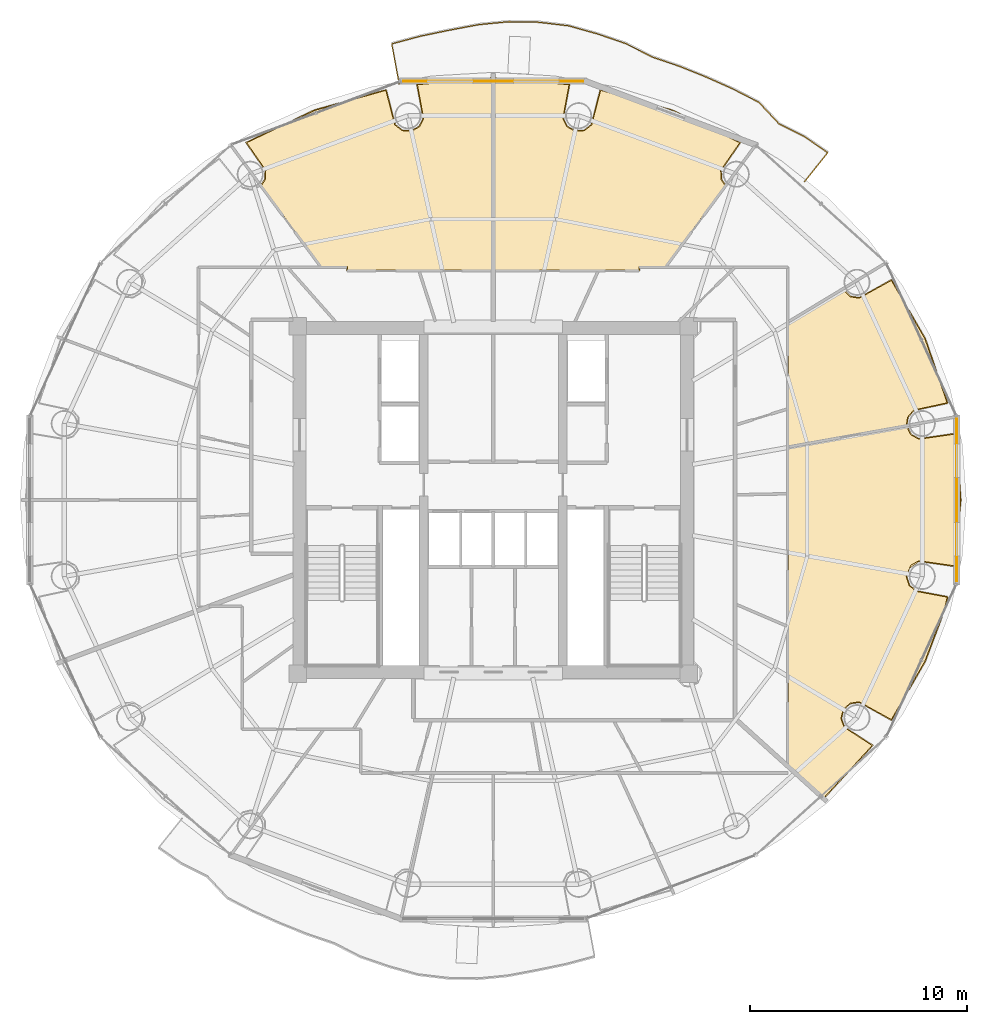
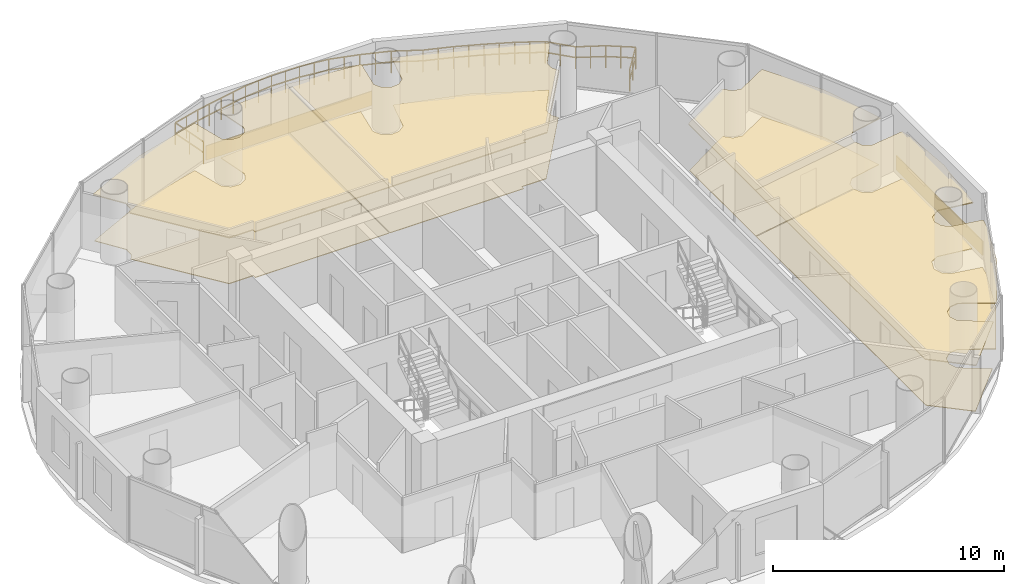
# One storey, part 26 of 26: 10 coverings, 1 railing.
"""IFC4 building model written with IfcOpenShell, lengths in metres."""

from ifc_helpers import new_model, si_unit, direction, frame, origin, origin_2d, place, context, subcontext, project, spatial, polyline, rectangle, outline, extrude, source, transform, mapped, material, layer, layer_set, type_object, element, save


model = new_model("IFC4")

# Units and contexts
model_context = context("Model", 3, precision=1e-05, world=origin(), true_north=direction((-0.2419218956, 0.970295726276)))
body_context = subcontext(model_context, "Body", "Model", "MODEL_VIEW")
ifc_project = project(units=[si_unit("LENGTHUNIT", "METRE"), si_unit("AREAUNIT", "SQUARE_METRE"), si_unit("VOLUMEUNIT", "CUBIC_METRE"), si_unit("PLANEANGLEUNIT", "RADIAN"), si_unit("MASSUNIT", "GRAM", prefix="KILO")], contexts=[model_context])

# Site, building, storey
site_placement = place(None, origin())
site = spatial("IfcSite", under=ifc_project, at=site_placement, CompositionType="ELEMENT")
building_placement = place(site_placement, origin())
building = spatial("IfcBuilding", under=site, at=building_placement, Name="Cobrevalo Terracotta Tower", CompositionType="ELEMENT")
storey_placement = place(building_placement, frame((0.0, 0.0, 202.300048828125)))
storey = spatial("IfcBuildingStorey", under=building, at=storey_placement, Name="L53", CompositionType="ELEMENT", Elevation=202.300048828125)

# Railing
ifc_material_1 = material(Name="Laminated structural glass and stainless steel", Category="steel")
railing_type = type_object("IfcRailingType", Name="Balcony lobe structural glass & terracotta-cap balustrade 1180 mm", PredefinedType="BALUSTRADE", material=ifc_material_1)
railing_placement = place(storey_placement, frame((52.343017578125, 41.465087890625, 0.0)))
element("IfcRailing", 1, at=railing_placement, inside=storey, type_object=railing_type, Name="L53 spiralling balcony lobe balustrade 1", PredefinedType="BALUSTRADE", context=body_context, shape_type="SweptSolid", body=[
    extrude(rectangle(XDim=0.048095703125, YDim=0.048095703125, at=origin_2d()), frame((0.0, 0.0, 1.15576171875), z_axis=(0.624293804067, 0.781189635238, 0.0), x_axis=(-0.781189635238, 0.624293804067, 0.0)), (0.0, 0.0, 1.0), 1.70703125),
    extrude(rectangle(XDim=0.048095703125, YDim=0.048095703125, at=origin_2d()), frame((0.0, 0.0, 0.58984375), z_axis=(0.624293804067, 0.781189635238, 0.0), x_axis=(-0.781189635238, 0.624293804067, 0.0)), (0.0, 0.0, 1.0), 1.70703125),
    extrude(rectangle(XDim=0.048095703125, YDim=0.048095703125, at=origin_2d()), frame((1.065673828125, 1.33349609375, 1.15576171875), z_axis=(-0.822022898693, 0.569454435425, 0.0), x_axis=(-0.569454435425, -0.822022898693, 0.0)), (0.0, 0.0, 1.0), 1.298095703125),
    extrude(rectangle(XDim=0.048095703125, YDim=0.048095703125, at=origin_2d()), frame((1.065673828125, 1.33349609375, 0.58984375), z_axis=(-0.822022898693, 0.569454435425, 0.0), x_axis=(-0.569454435425, -0.822022898693, 0.0)), (0.0, 0.0, 1.0), 1.298095703125),
    extrude(rectangle(XDim=0.048095703125, YDim=0.048095703125, at=origin_2d()), frame((-0.00146484375, 2.07275390625, 1.15576171875), z_axis=(-0.894650555735, 0.446766586846, 0.0), x_axis=(-0.446766586846, -0.894650555735, 0.0)), (0.0, 0.0, 1.0), 1.31103515625),
    extrude(rectangle(XDim=0.048095703125, YDim=0.048095703125, at=origin_2d()), frame((-0.00146484375, 2.07275390625, 0.58984375), z_axis=(-0.894650555735, 0.446766586846, 0.0), x_axis=(-0.446766586846, -0.894650555735, 0.0)), (0.0, 0.0, 1.0), 1.31103515625),
    extrude(rectangle(XDim=0.048095703125, YDim=0.048095703125, at=origin_2d()), frame((-1.17431640625, 2.658447265625, 1.15576171875), z_axis=(-0.683393883443, 0.730049861361, 0.0), x_axis=(-0.730049861361, -0.683393883443, 0.0)), (0.0, 0.0, 1.0), 1.36572265625),
    extrude(rectangle(XDim=0.048095703125, YDim=0.048095703125, at=origin_2d()), frame((-1.17431640625, 2.658447265625, 0.58984375), z_axis=(-0.683393883443, 0.730049861361, 0.0), x_axis=(-0.730049861361, -0.683393883443, 0.0)), (0.0, 0.0, 1.0), 1.36572265625),
    extrude(rectangle(XDim=0.048095703125, YDim=0.048095703125, at=origin_2d()), frame((-2.107666015625, 3.655517578125, 1.15576171875), z_axis=(-0.888831309904, 0.458234549695, 0.0), x_axis=(-0.458234549695, -0.888831309904, 0.0)), (0.0, 0.0, 1.0), 1.324951171875),
    extrude(rectangle(XDim=0.048095703125, YDim=0.048095703125, at=origin_2d()), frame((-2.107666015625, 3.655517578125, 0.58984375), z_axis=(-0.888831309904, 0.458234549695, 0.0), x_axis=(-0.458234549695, -0.888831309904, 0.0)), (0.0, 0.0, 1.0), 1.324951171875),
    extrude(rectangle(XDim=0.048095703125, YDim=0.048095703125, at=origin_2d()), frame((-3.285400390625, 4.2626953125, 1.15576171875), z_axis=(-0.913372789637, 0.407124240436, 0.0), x_axis=(-0.407124240436, -0.913372789637, 0.0)), (0.0, 0.0, 1.0), 1.33251953125),
    extrude(rectangle(XDim=0.048095703125, YDim=0.048095703125, at=origin_2d()), frame((-3.285400390625, 4.2626953125, 0.58984375), z_axis=(-0.913372789637, 0.407124240436, 0.0), x_axis=(-0.407124240436, -0.913372789637, 0.0)), (0.0, 0.0, 1.0), 1.33251953125),
    extrude(rectangle(XDim=0.048095703125, YDim=0.048095703125, at=origin_2d()), frame((-4.50244140625, 4.80517578125, 1.15576171875), z_axis=(-0.927106002762, 0.374799225776, 0.0), x_axis=(-0.374799225776, -0.927106002762, 0.0)), (0.0, 0.0, 1.0), 1.332763671875),
    extrude(rectangle(XDim=0.048095703125, YDim=0.048095703125, at=origin_2d()), frame((-4.50244140625, 4.80517578125, 0.58984375), z_axis=(-0.927106002762, 0.374799225776, 0.0), x_axis=(-0.374799225776, -0.927106002762, 0.0)), (0.0, 0.0, 1.0), 1.332763671875),
    extrude(rectangle(XDim=0.048095703125, YDim=0.048095703125, at=origin_2d()), frame((-5.738037109375, 5.3046875, 1.15576171875), z_axis=(-0.946478628769, 0.322766487236, 0.0), x_axis=(-0.322766487236, -0.946478628769, 0.0)), (0.0, 0.0, 1.0), 1.342529296875),
    extrude(rectangle(XDim=0.048095703125, YDim=0.048095703125, at=origin_2d()), frame((-5.738037109375, 5.3046875, 0.58984375), z_axis=(-0.946478628769, 0.322766487236, 0.0), x_axis=(-0.322766487236, -0.946478628769, 0.0)), (0.0, 0.0, 1.0), 1.342529296875),
    extrude(rectangle(XDim=0.048095703125, YDim=0.048095703125, at=origin_2d()), frame((-7.0087890625, 5.738037109375, 1.15576171875), z_axis=(-0.892183371129, 0.451673369019, 0.0), x_axis=(-0.451673369019, -0.892183371129, 0.0)), (0.0, 0.0, 1.0), 1.377685546875),
    extrude(rectangle(XDim=0.048095703125, YDim=0.048095703125, at=origin_2d()), frame((-7.0087890625, 5.738037109375, 0.58984375), z_axis=(-0.892183371129, 0.451673369019, 0.0), x_axis=(-0.451673369019, -0.892183371129, 0.0)), (0.0, 0.0, 1.0), 1.377685546875),
    extrude(rectangle(XDim=0.048095703125, YDim=0.048095703125, at=origin_2d()), frame((-8.238037109375, 6.3603515625, 1.15576171875), z_axis=(-0.946045344092, 0.324034268128, 0.0), x_axis=(-0.324034268128, -0.946045344092, 0.0)), (0.0, 0.0, 1.0), 1.377197265625),
    extrude(rectangle(XDim=0.048095703125, YDim=0.048095703125, at=origin_2d()), frame((-8.238037109375, 6.3603515625, 0.58984375), z_axis=(-0.946045344092, 0.324034268128, 0.0), x_axis=(-0.324034268128, -0.946045344092, 0.0)), (0.0, 0.0, 1.0), 1.377197265625),
    extrude(rectangle(XDim=0.048095703125, YDim=0.048095703125, at=origin_2d()), frame((-9.541015625, 6.806640625, 1.15576171875), z_axis=(-0.963168710814, 0.268897814252, 0.0), x_axis=(-0.268897814252, -0.963168710814, 0.0)), (0.0, 0.0, 1.0), 1.385498046875),
    extrude(rectangle(XDim=0.048095703125, YDim=0.048095703125, at=origin_2d()), frame((-9.541015625, 6.806640625, 0.58984375), z_axis=(-0.963168710814, 0.268897814252, 0.0), x_axis=(-0.268897814252, -0.963168710814, 0.0)), (0.0, 0.0, 1.0), 1.385498046875),
    extrude(rectangle(XDim=0.048095703125, YDim=0.048095703125, at=origin_2d()), frame((-10.87548828125, 7.17919921875, 1.15576171875), z_axis=(-0.992970983309, 0.118358042842, 0.0), x_axis=(-0.118358042842, -0.992970983309, 0.0)), (0.0, 0.0, 1.0), 1.382080078125),
    extrude(rectangle(XDim=0.048095703125, YDim=0.048095703125, at=origin_2d()), frame((-10.87548828125, 7.17919921875, 0.58984375), z_axis=(-0.992970983309, 0.118358042842, 0.0), x_axis=(-0.118358042842, -0.992970983309, 0.0)), (0.0, 0.0, 1.0), 1.382080078125),
    extrude(rectangle(XDim=0.048095703125, YDim=0.048095703125, at=origin_2d()), frame((-12.247802734375, 7.3427734375, 1.15576171875), z_axis=(-0.999853748983, 0.017102065535, 0.0), x_axis=(-0.017102065535, -0.999853748983, 0.0)), (0.0, 0.0, 1.0), 1.384765625),
    extrude(rectangle(XDim=0.048095703125, YDim=0.048095703125, at=origin_2d()), frame((-12.247802734375, 7.3427734375, 0.58984375), z_axis=(-0.999853748983, 0.017102065535, 0.0), x_axis=(-0.017102065535, -0.999853748983, 0.0)), (0.0, 0.0, 1.0), 1.384765625),
    extrude(rectangle(XDim=0.048095703125, YDim=0.048095703125, at=origin_2d()), frame((-13.63232421875, 7.366455078125, 1.15576171875), z_axis=(-0.995378902866, -0.09602520361, 0.0), x_axis=(0.09602520361, -0.995378902866, 0.0)), (0.0, 0.0, 1.0), 1.383056640625),
    extrude(rectangle(XDim=0.048095703125, YDim=0.048095703125, at=origin_2d()), frame((-13.63232421875, 7.366455078125, 0.58984375), z_axis=(-0.995378902866, -0.09602520361, 0.0), x_axis=(0.09602520361, -0.995378902866, 0.0)), (0.0, 0.0, 1.0), 1.383056640625),
    extrude(rectangle(XDim=0.048095703125, YDim=0.048095703125, at=origin_2d()), frame((-15.009033203125, 7.233642578125, 1.15576171875), z_axis=(-0.982647697479, -0.18548181215, 0.0), x_axis=(0.18548181215, -0.982647697479, 0.0)), (0.0, 0.0, 1.0), 1.38330078125),
    extrude(rectangle(XDim=0.048095703125, YDim=0.048095703125, at=origin_2d()), frame((-15.009033203125, 7.233642578125, 0.58984375), z_axis=(-0.982647697479, -0.18548181215, 0.0), x_axis=(0.18548181215, -0.982647697479, 0.0)), (0.0, 0.0, 1.0), 1.38330078125),
    extrude(rectangle(XDim=0.048095703125, YDim=0.048095703125, at=origin_2d()), frame((-16.368408203125, 6.97705078125, 1.15576171875), z_axis=(-0.979039831356, -0.203668870027, 0.0), x_axis=(0.203668870027, -0.979039831356, 0.0)), (0.0, 0.0, 1.0), 1.366455078125),
    extrude(rectangle(XDim=0.048095703125, YDim=0.048095703125, at=origin_2d()), frame((-16.368408203125, 6.97705078125, 0.58984375), z_axis=(-0.979039831356, -0.203668870027, 0.0), x_axis=(0.203668870027, -0.979039831356, 0.0)), (0.0, 0.0, 1.0), 1.366455078125),
    extrude(rectangle(XDim=0.048095703125, YDim=0.048095703125, at=origin_2d()), frame((-17.706298828125, 6.69873046875, 1.15576171875), z_axis=(-0.965834059951, -0.259161279205, 0.0), x_axis=(0.259161279205, -0.965834059951, 0.0)), (0.0, 0.0, 1.0), 1.3583984375),
    extrude(rectangle(XDim=0.048095703125, YDim=0.048095703125, at=origin_2d()), frame((-17.706298828125, 6.69873046875, 0.58984375), z_axis=(-0.965834059951, -0.259161279205, 0.0), x_axis=(0.259161279205, -0.965834059951, 0.0)), (0.0, 0.0, 1.0), 1.3583984375),
    extrude(rectangle(XDim=0.048095703125, YDim=0.048095703125, at=origin_2d()), frame((-19.018310546875, 6.3466796875, 1.15576171875), z_axis=(0.181663974484, -0.983360666477, 0.0), x_axis=(0.983360666477, 0.181663974484, 0.0)), (0.0, 0.0, 1.0), 1.87060546875),
    extrude(rectangle(XDim=0.048095703125, YDim=0.048095703125, at=origin_2d()), frame((-19.018310546875, 6.3466796875, 0.58984375), z_axis=(0.181663974484, -0.983360666477, 0.0), x_axis=(0.983360666477, 0.181663974484, 0.0)), (0.0, 0.0, 1.0), 1.87060546875),
    extrude(rectangle(XDim=0.0419921875, YDim=0.0419921875, at=origin_2d()), origin(), (0.0, 0.0, 1.0), 1.1318359375),
    extrude(rectangle(XDim=0.0419921875, YDim=0.0419921875, at=origin_2d()), frame((0.53271484375, 0.666748046875, 0.0)), (0.0, 0.0, 1.0), 1.1318359375),
    extrude(rectangle(XDim=0.0419921875, YDim=0.0419921875, at=origin_2d()), frame((1.065673828125, 1.33349609375, 0.0)), (0.0, 0.0, 1.0), 1.1318359375),
    extrude(rectangle(XDim=0.0419921875, YDim=0.0419921875, at=origin_2d()), frame((0.5322265625, 1.703125, 0.0)), (0.0, 0.0, 1.0), 1.1318359375),
    extrude(rectangle(XDim=0.0419921875, YDim=0.0419921875, at=origin_2d()), frame((-0.00146484375, 2.07275390625, 0.0)), (0.0, 0.0, 1.0), 1.1318359375),
    extrude(rectangle(XDim=0.0419921875, YDim=0.0419921875, at=origin_2d()), frame((-0.587890625, 2.36572265625, 0.0)), (0.0, 0.0, 1.0), 1.1318359375),
    extrude(rectangle(XDim=0.0419921875, YDim=0.0419921875, at=origin_2d()), frame((-1.17431640625, 2.658447265625, 0.0)), (0.0, 0.0, 1.0), 1.1318359375),
    extrude(rectangle(XDim=0.0419921875, YDim=0.0419921875, at=origin_2d()), frame((-1.64111328125, 3.156982421875, 0.0)), (0.0, 0.0, 1.0), 1.1318359375),
    extrude(rectangle(XDim=0.0419921875, YDim=0.0419921875, at=origin_2d()), frame((-2.107666015625, 3.655517578125, 0.0)), (0.0, 0.0, 1.0), 1.1318359375),
    extrude(rectangle(XDim=0.0419921875, YDim=0.0419921875, at=origin_2d()), frame((-2.696533203125, 3.958984375, 0.0)), (0.0, 0.0, 1.0), 1.1318359375),
    extrude(rectangle(XDim=0.0419921875, YDim=0.0419921875, at=origin_2d()), frame((-3.285400390625, 4.2626953125, 0.0)), (0.0, 0.0, 1.0), 1.1318359375),
    extrude(rectangle(XDim=0.0419921875, YDim=0.0419921875, at=origin_2d()), frame((-3.89404296875, 4.533935546875, 0.0)), (0.0, 0.0, 1.0), 1.1318359375),
    extrude(rectangle(XDim=0.0419921875, YDim=0.0419921875, at=origin_2d()), frame((-4.50244140625, 4.80517578125, 0.0)), (0.0, 0.0, 1.0), 1.1318359375),
    extrude(rectangle(XDim=0.0419921875, YDim=0.0419921875, at=origin_2d()), frame((-5.1201171875, 5.054931640625, 0.0)), (0.0, 0.0, 1.0), 1.1318359375),
    extrude(rectangle(XDim=0.0419921875, YDim=0.0419921875, at=origin_2d()), frame((-5.738037109375, 5.3046875, 0.0)), (0.0, 0.0, 1.0), 1.1318359375),
    extrude(rectangle(XDim=0.0419921875, YDim=0.0419921875, at=origin_2d()), frame((-6.37353515625, 5.521484375, 0.0)), (0.0, 0.0, 1.0), 1.1318359375),
    extrude(rectangle(XDim=0.0419921875, YDim=0.0419921875, at=origin_2d()), frame((-7.0087890625, 5.738037109375, 0.0)), (0.0, 0.0, 1.0), 1.1318359375),
    extrude(rectangle(XDim=0.0419921875, YDim=0.0419921875, at=origin_2d()), frame((-7.62353515625, 6.04931640625, 0.0)), (0.0, 0.0, 1.0), 1.1318359375),
    extrude(rectangle(XDim=0.0419921875, YDim=0.0419921875, at=origin_2d()), frame((-8.238037109375, 6.3603515625, 0.0)), (0.0, 0.0, 1.0), 1.1318359375),
    extrude(rectangle(XDim=0.0419921875, YDim=0.0419921875, at=origin_2d()), frame((-8.8896484375, 6.58349609375, 0.0)), (0.0, 0.0, 1.0), 1.1318359375),
    extrude(rectangle(XDim=0.0419921875, YDim=0.0419921875, at=origin_2d()), frame((-9.541015625, 6.806640625, 0.0)), (0.0, 0.0, 1.0), 1.1318359375),
    extrude(rectangle(XDim=0.0419921875, YDim=0.0419921875, at=origin_2d()), frame((-10.208251953125, 6.992919921875, 0.0)), (0.0, 0.0, 1.0), 1.1318359375),
    extrude(rectangle(XDim=0.0419921875, YDim=0.0419921875, at=origin_2d()), frame((-10.87548828125, 7.17919921875, 0.0)), (0.0, 0.0, 1.0), 1.1318359375),
    extrude(rectangle(XDim=0.0419921875, YDim=0.0419921875, at=origin_2d()), frame((-11.5615234375, 7.260986328125, 0.0)), (0.0, 0.0, 1.0), 1.1318359375),
    extrude(rectangle(XDim=0.0419921875, YDim=0.0419921875, at=origin_2d()), frame((-12.247802734375, 7.3427734375, 0.0)), (0.0, 0.0, 1.0), 1.1318359375),
    extrude(rectangle(XDim=0.0419921875, YDim=0.0419921875, at=origin_2d()), frame((-12.93994140625, 7.3544921875, 0.0)), (0.0, 0.0, 1.0), 1.1318359375),
    extrude(rectangle(XDim=0.0419921875, YDim=0.0419921875, at=origin_2d()), frame((-13.63232421875, 7.366455078125, 0.0)), (0.0, 0.0, 1.0), 1.1318359375),
    extrude(rectangle(XDim=0.0419921875, YDim=0.0419921875, at=origin_2d()), frame((-14.32080078125, 7.300048828125, 0.0)), (0.0, 0.0, 1.0), 1.1318359375),
    extrude(rectangle(XDim=0.0419921875, YDim=0.0419921875, at=origin_2d()), frame((-15.009033203125, 7.233642578125, 0.0)), (0.0, 0.0, 1.0), 1.1318359375),
    extrude(rectangle(XDim=0.0419921875, YDim=0.0419921875, at=origin_2d()), frame((-15.688720703125, 7.10546875, 0.0)), (0.0, 0.0, 1.0), 1.1318359375),
    extrude(rectangle(XDim=0.0419921875, YDim=0.0419921875, at=origin_2d()), frame((-16.368408203125, 6.97705078125, 0.0)), (0.0, 0.0, 1.0), 1.1318359375),
    extrude(rectangle(XDim=0.0419921875, YDim=0.0419921875, at=origin_2d()), frame((-17.037353515625, 6.837890625, 0.0)), (0.0, 0.0, 1.0), 1.1318359375),
    extrude(rectangle(XDim=0.0419921875, YDim=0.0419921875, at=origin_2d()), frame((-17.706298828125, 6.69873046875, 0.0)), (0.0, 0.0, 1.0), 1.1318359375),
    extrude(rectangle(XDim=0.0419921875, YDim=0.0419921875, at=origin_2d()), frame((-18.3623046875, 6.522705078125, 0.0)), (0.0, 0.0, 1.0), 1.1318359375),
    extrude(rectangle(XDim=0.0419921875, YDim=0.0419921875, at=origin_2d()), frame((-19.018310546875, 6.3466796875, 0.0)), (0.0, 0.0, 1.0), 1.1318359375),
    extrude(rectangle(XDim=0.0419921875, YDim=0.0419921875, at=origin_2d()), frame((-18.848388671875, 5.4267578125, 0.0)), (0.0, 0.0, 1.0), 1.1318359375),
    extrude(rectangle(XDim=0.0419921875, YDim=0.0419921875, at=origin_2d()), frame((-18.678466796875, 4.507080078125, 0.0)), (0.0, 0.0, 1.0), 1.1318359375),
])

# Coverings
ifc_material_2 = material(Name="Engineered Brazilian hardwood flooring", Category="wood")
ifc_layer_1 = layer(ifc_material_2, 0.028076171875)
ifc_layer_set_1 = layer_set([ifc_layer_1], Name="Engineered Brazilian hardwood flooring")
covering_type_1 = type_object("IfcCoveringType", Name="Engineered Hardwood Suite Flooring 28", PredefinedType="FLOORING", material=ifc_layer_set_1)
covering_1_placement = place(storey_placement, origin())
element("IfcCovering", 2, at=covering_1_placement, inside=storey, type_object=covering_type_1, Name="Flat L53A Living and Dining Room floor finish", PredefinedType="FLOORING", context=body_context, shape_type="SweptSolid", body=[
    extrude(outline(polyline([(29.763916015625, 44.741455078125), (33.0517578125, 45.669921875), (33.462890625, 44.078369140625), (33.801025390625, 43.813232421875), (34.229248046875, 43.78076171875), (34.603759765625, 43.991455078125), (34.7978515625, 44.375), (34.509765625, 45.931640625), (37.97998046875, 46.21875), (37.97998046875, 37.385009765625), (31.294921875, 37.385009765625), (31.294921875, 37.544921875), (30.080078125, 37.544921875), (27.318603515625, 41.279541015625), (27.502685546875, 41.560546875), (27.522705078125, 41.98974609375), (26.6455078125, 43.259765625), (29.763916015625, 44.741455078125)])), origin(), (0.0, 0.0, 1.0), 0.030029296875),
])
covering_2_placement = place(storey_placement, origin())
element("IfcCovering", 3, at=covering_2_placement, inside=storey, type_object=covering_type_1, Name="Flat L53C Penthouse Living and Dining Room floor finish", PredefinedType="FLOORING", context=body_context, shape_type="SweptSolid", body=[
    extrude(outline(polyline([(57.03662109375, 30.20166015625), (57.229248046875, 29.80859375), (57.60400390625, 29.5986328125), (59.2265625, 29.83056640625), (59.3359375, 29.33447265625), (59.52001953125, 26.800048828125), (59.2265625, 23.76953125), (57.60400390625, 24.00146484375), (57.229248046875, 23.791259765625), (57.02294921875, 23.263916015625), (57.15576171875, 22.855224609375), (57.493408203125, 22.58935546875), (58.90771484375, 22.322998046875), (58.786865234375, 21.774169921875), (57.882080078125, 19.368896484375), (56.337890625, 16.6865234375), (54.8623046875, 17.504150390625), (54.437255859375, 17.44091796875), (54.119140625, 17.152099609375), (54.014892578125, 16.735107421875), (54.159912109375, 16.330810546875), (55.453125, 15.4912109375), (53.220947265625, 13.072265625), (51.594970703125, 14.54150390625), (51.594970703125, 29.223388671875), (57.03662109375, 30.20166015625)])), origin(), (0.0, 0.0, 1.0), 0.030029296875),
])
covering_3_placement = place(storey_placement, origin())
element("IfcCovering", 4, at=covering_3_placement, inside=storey, type_object=covering_type_1, Name="Flat L53C Master Bedroom floor finish", PredefinedType="FLOORING", context=body_context, shape_type="SweptSolid", body=[
    extrude(outline(polyline([(54.096435546875, 36.495849609375), (54.437255859375, 36.1591796875), (54.8623046875, 36.095947265625), (56.337890625, 36.91357421875), (57.882080078125, 34.23095703125), (58.90771484375, 31.277099609375), (57.364013671875, 30.94482421875), (57.0849609375, 30.6181640625), (57.0302734375, 30.240966796875), (51.594970703125, 29.26416015625), (51.594970703125, 34.9853515625), (54.096435546875, 36.495849609375)])), origin(), (0.0, 0.0, 1.0), 0.030029296875),
])
covering_4_placement = place(storey_placement, origin())
element("IfcCovering", 5, at=covering_4_placement, inside=storey, type_object=covering_type_1, Name="Flat L53C Penthouse Family Lounge floor finish", PredefinedType="FLOORING", context=body_context, shape_type="SweptSolid", body=[
    extrude(outline(polyline([(44.705078125, 37.385009765625), (38.02001953125, 37.385009765625), (38.02001953125, 46.21875), (41.490234375, 45.931640625), (41.2021484375, 44.375), (41.396240234375, 43.991455078125), (41.770751953125, 43.78076171875), (42.198974609375, 43.813232421875), (42.537109375, 44.078369140625), (42.9482421875, 45.669921875), (46.236083984375, 44.741455078125), (49.3544921875, 43.259765625), (48.477294921875, 41.98974609375), (48.497314453125, 41.560546875), (48.681396484375, 41.279541015625), (45.919921875, 37.544921875), (44.705078125, 37.544921875), (44.705078125, 37.385009765625)])), origin(), (0.0, 0.0, 1.0), 0.030029296875),
])
ifc_material_3 = material(Name="Acoustic perforated gypsum ceiling", Category="gypsum")
ifc_layer_2 = layer(ifc_material_3, 0.050048828125)
ifc_layer_set_2 = layer_set([ifc_layer_2], Name="Acoustic perforated gypsum ceiling")
covering_type_2 = type_object("IfcCoveringType", Name="Perforated Acoustic Gypsum Ceiling 50", PredefinedType="CEILING", material=ifc_layer_set_2)
covering_5_placement = place(storey_placement, frame((0.0, 0.0, 2.445068359375)))
element("IfcCovering", 6, at=covering_5_placement, inside=storey, type_object=covering_type_2, Name="Flat L53A Living and Dining Room acoustic ceiling", PredefinedType="CEILING", context=body_context, shape_type="SweptSolid", body=[
    extrude(outline(polyline([(29.748291015625, 44.78369140625), (33.08642578125, 45.7216796875), (33.499755859375, 44.1044921875), (33.8173828125, 43.85546875), (34.219482421875, 43.82470703125), (34.571044921875, 44.02294921875), (34.753173828125, 44.3828125), (34.455810546875, 45.967529296875), (38.02490234375, 46.2666015625), (38.02490234375, 37.340087890625), (31.25, 37.340087890625), (31.25, 37.5), (30.057373046875, 37.5), (27.25830078125, 41.285400390625), (27.460205078125, 41.57568359375), (27.478759765625, 41.978759765625), (26.579833984375, 43.272705078125), (29.748291015625, 44.78369140625)])), origin(), (0.0, 0.0, 1.0), 0.0498046875),
])
covering_6_placement = place(storey_placement, frame((0.0, 0.0, 2.445068359375)))
element("IfcCovering", 7, at=covering_6_placement, inside=storey, type_object=covering_type_2, Name="Flat L53C Penthouse Living and Dining Room acoustic ceiling", PredefinedType="CEILING", context=body_context, shape_type="SweptSolid", body=[
    extrude(outline(polyline([(57.0703125, 30.25341796875), (57.26171875, 29.83984375), (57.613525390625, 29.642578125), (59.26123046875, 29.88232421875), (59.380615234375, 29.341064453125), (59.565185546875, 26.800048828125), (59.26123046875, 23.717529296875), (57.613525390625, 23.957275390625), (57.177490234375, 23.653076171875), (57.068115234375, 23.2646484375), (57.19287109375, 22.881103515625), (57.509765625, 22.63134765625), (58.961669921875, 22.359130859375), (58.830078125, 21.761474609375), (57.923095703125, 19.35009765625), (56.349853515625, 16.626953125), (54.855712890625, 17.45947265625), (54.45654296875, 17.39990234375), (54.157958984375, 17.12890625), (54.06005859375, 16.737548828125), (54.1962890625, 16.357666015625), (55.518798828125, 15.50439453125), (53.22314453125, 13.009765625), (51.550048828125, 14.521484375), (51.550048828125, 29.260986328125), (57.0703125, 30.25341796875)])), origin(), (0.0, 0.0, 1.0), 0.0498046875),
])
covering_7_placement = place(storey_placement, frame((0.0, 0.0, 2.445068359375)))
element("IfcCovering", 8, at=covering_7_placement, inside=storey, type_object=covering_type_2, Name="Flat L53C Master Bedroom acoustic ceiling", PredefinedType="CEILING", context=body_context, shape_type="SweptSolid", body=[
    extrude(outline(polyline([(54.115966796875, 36.56005859375), (54.45654296875, 36.199951171875), (54.855712890625, 36.140625), (56.349853515625, 36.97314453125), (57.923095703125, 34.249755859375), (58.961669921875, 31.240966796875), (57.388427734375, 30.90673828125), (57.126220703125, 30.60009765625), (57.078369140625, 30.203857421875), (51.550048828125, 29.210205078125), (51.550048828125, 35.010986328125), (54.115966796875, 36.56005859375)])), origin(), (0.0, 0.0, 1.0), 0.0498046875),
])
covering_8_placement = place(storey_placement, frame((0.0, 0.0, 2.445068359375)))
element("IfcCovering", 9, at=covering_8_placement, inside=storey, type_object=covering_type_2, Name="Flat L53C Penthouse Family Lounge acoustic ceiling", PredefinedType="CEILING", context=body_context, shape_type="SweptSolid", body=[
    extrude(outline(polyline([(44.75, 37.340087890625), (37.97509765625, 37.340087890625), (37.97509765625, 46.2666015625), (41.544189453125, 45.967529296875), (41.246826171875, 44.3828125), (41.428955078125, 44.02294921875), (41.780517578125, 43.82470703125), (42.1826171875, 43.85546875), (42.500244140625, 44.1044921875), (42.91357421875, 45.7216796875), (46.251708984375, 44.78369140625), (49.420166015625, 43.272705078125), (48.521240234375, 41.978759765625), (48.539794921875, 41.57568359375), (48.74169921875, 41.285400390625), (45.942626953125, 37.5), (44.75, 37.5), (44.75, 37.340087890625)])), origin(), (0.0, 0.0, 1.0), 0.0498046875),
])
ifc_material_4 = material(Name="Glazed terracotta facade cladding tile", Category="masonry")
ifc_layer_3 = layer(ifc_material_4, 0.044921875)
ifc_layer_set_3 = layer_set([ifc_layer_3], Name="Glazed terracotta facade cladding tile")
covering_type_3 = type_object("IfcCoveringType", Name="Architectural terracotta rainscreen spandrel cladding 45 mm", PredefinedType="CLADDING", material=ifc_layer_set_3)
shared_shape_1 = source(origin(), body_context, "Body", "SweptSolid", [
    extrude(rectangle(XDim=8.294189453125, YDim=0.044921875, at=origin_2d()), origin(), (0.0, 0.0, 1.0), 0.760009765625),
])
covering_9_placement = place(storey_placement, frame((38.0, 46.092041015625, 0.0400390625), z_axis=(0.0, 0.0, 1.0), x_axis=(-1.0, 0.0, 0.0)))
element("IfcCovering", 10, at=covering_9_placement, inside=storey, type_object=covering_type_3, Name="L53 terracotta spandrel cladding S04", PredefinedType="CLADDING", context=body_context, shape_type="MappedRepresentation", body=[
    mapped(shared_shape_1, transform((0.0, 0.0, 0.0), scale=1.0)),
])
shared_shape_2 = source(origin(), body_context, "Body", "SweptSolid", [
    extrude(rectangle(XDim=7.474853515625, YDim=0.044921875, at=origin_2d()), origin(), (0.0, 0.0, 1.0), 0.760009765625),
])
covering_10_placement = place(storey_placement, frame((59.351806640625, 26.800048828125, 0.0400390625), z_axis=(0.0, 0.0, 1.0), x_axis=(0.0, 1.0, 0.0)))
element("IfcCovering", 11, at=covering_10_placement, inside=storey, type_object=covering_type_3, Name="L53 terracotta spandrel cladding S16", PredefinedType="CLADDING", context=body_context, shape_type="MappedRepresentation", body=[
    mapped(shared_shape_2, transform((0.0, 0.0, 0.0), scale=1.0)),
])

save(model, "model.ifc")
